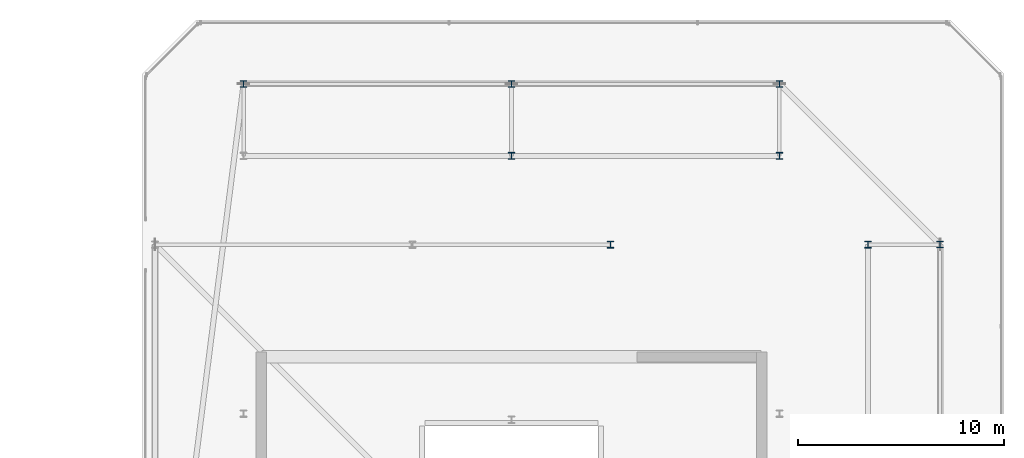
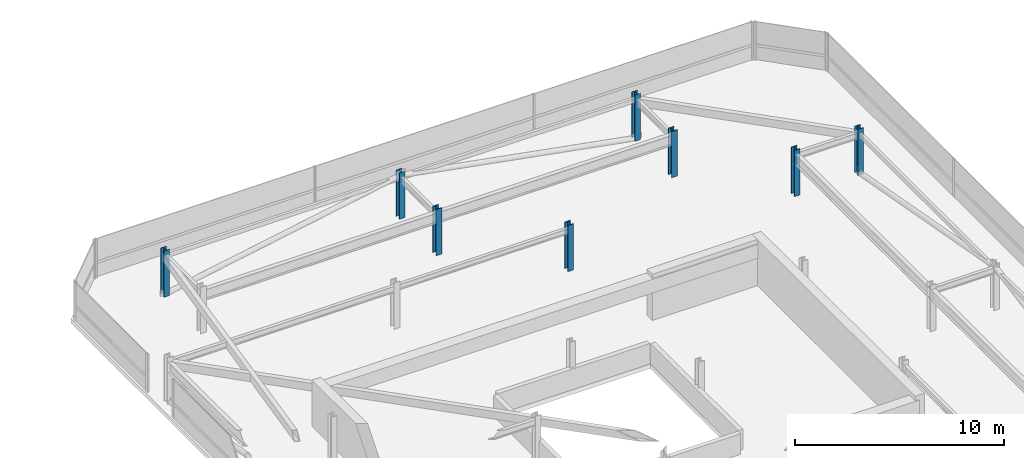
# One storey, part 6 of 42: 8 columns.
"""IFC4 building model written with IfcOpenShell, lengths in metres."""

from ifc_helpers import new_model, si_unit, direction, frame, origin, origin_2d, place, context, subcontext, project, spatial, i_section, extrude, material, material_profile, profile_set, type_object, element, save


model = new_model("IFC4")

# Units and contexts
model_context = context("Model", 3, precision=1e-05, world=origin(), true_north=direction((0.0, 1.0)))
body_context = subcontext(model_context, "Body", "Model", "MODEL_VIEW")
ifc_project = project(units=[si_unit("LENGTHUNIT", "METRE"), si_unit("AREAUNIT", "SQUARE_METRE"), si_unit("VOLUMEUNIT", "CUBIC_METRE"), si_unit("PLANEANGLEUNIT", "RADIAN"), si_unit("MASSUNIT", "GRAM", prefix="KILO")], contexts=[model_context])

# Site, building, storey
site_placement = place(None, origin())
site = spatial("IfcSite", under=ifc_project, at=site_placement, CompositionType="ELEMENT")
building_placement = place(site_placement, origin())
building = spatial("IfcBuilding", under=site, at=building_placement, Name="Thornwick Lancets Civic Towers", CompositionType="ELEMENT")
storey_placement = place(building_placement, frame((0.0, 0.0, 289.5)))
storey = spatial("IfcBuildingStorey", under=building, at=storey_placement, Name="C04", CompositionType="ELEMENT", Elevation=289.5)

# Columns
ifc_material = material(Name="Steel S355JR", Category="steel")
ifc_material_profile_1 = material_profile(ifc_material, i_section(OverallWidth=0.30908203125, OverallDepth=0.320556640625, WebThickness=0.013916015625, FlangeThickness=0.021728515625, FilletRadius=0.01513671875, at=origin_2d()), Name="UKC 305x305x137")
ifc_profile_set_1 = profile_set([ifc_material_profile_1], Name="Steel S355JR")
column_type_1 = type_object("IfcColumnType", Name="COL_UKC_137", PredefinedType="COLUMN", material=ifc_profile_set_1)
for number, where, z_axis, x_axis, name in (
    (1, (109.300048828125, 40.0, 0.0), (0.0, 0.0, 1.0), (1.0, 0.0, 0.0), "C04 Block Perimeter Column B03"),
    (2, (101.5, 47.800048828125, 0.0), (0.0, 0.0, 1.0), (1.0, 0.0, 0.0), "C04 Block Perimeter Column B04"),
    (3, (88.5, 47.800048828125, 0.0), (0.0, 0.0, 1.0), (1.0, 0.0, 0.0), "C04 Block Perimeter Column B05"),
    (4, (75.5, 47.800048828125, 0.0), (0.0, 0.0, 1.0), (1.0, 0.0, 0.0), "C04 Block Perimeter Column B06"),
):
    element("IfcColumn", number, at=place(storey_placement, frame(where, z_axis=z_axis, x_axis=x_axis)), inside=storey, type_object=column_type_1, Name=name, PredefinedType="COLUMN", context=body_context, shape_type="SweptSolid", body=[
        extrude(i_section(OverallWidth=0.30908203125, OverallDepth=0.320556640625, WebThickness=0.013916015625, FlangeThickness=0.021728515625, FilletRadius=0.01513671875, at=origin_2d()), origin(), (0.0, 0.0, 1.0), 2.699951171875),
    ])
ifc_material_profile_2 = material_profile(ifc_material, i_section(OverallWidth=0.314453125, OverallDepth=0.33984375, WebThickness=0.01904296875, FlangeThickness=0.031494140625, FilletRadius=0.01513671875, at=origin_2d()), Name="UKC 305x305x198")
ifc_profile_set_2 = profile_set([ifc_material_profile_2], Name="Steel S355JR")
column_type_2 = type_object("IfcColumnType", Name="COL_UKC_198", PredefinedType="COLUMN", material=ifc_profile_set_2)
for number, where, z_axis, x_axis, name in (
    (5, (105.800048828125, 40.0, 0.0), (0.0, 0.0, 1.0), (1.0, 0.0, 0.0), "C04 Spine Mega-Column B03"),
    (6, (101.5, 44.300048828125, 0.0), (0.0, 0.0, 1.0), (1.0, 0.0, 0.0), "C04 Spine Mega-Column B04"),
    (7, (88.5, 44.300048828125, 0.0), (0.0, 0.0, 1.0), (1.0, 0.0, 0.0), "C04 Spine Mega-Column B05"),
    (8, (93.300048828125, 40.0, 0.0), (0.0, 0.0, 1.0), (1.0, 0.0, 0.0), "C04 Spine Mega-Column B14"),
):
    element("IfcColumn", number, at=place(storey_placement, frame(where, z_axis=z_axis, x_axis=x_axis)), inside=storey, type_object=column_type_2, Name=name, PredefinedType="COLUMN", context=body_context, shape_type="SweptSolid", body=[
        extrude(i_section(OverallWidth=0.314453125, OverallDepth=0.33984375, WebThickness=0.01904296875, FlangeThickness=0.031494140625, FilletRadius=0.01513671875, at=origin_2d()), origin(), (0.0, 0.0, 1.0), 2.699951171875),
    ])

save(model, "model.ifc")
